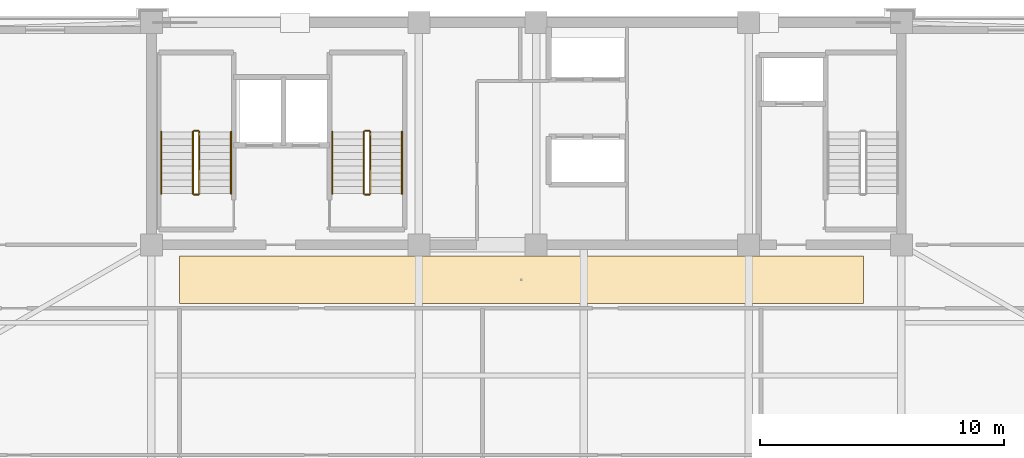
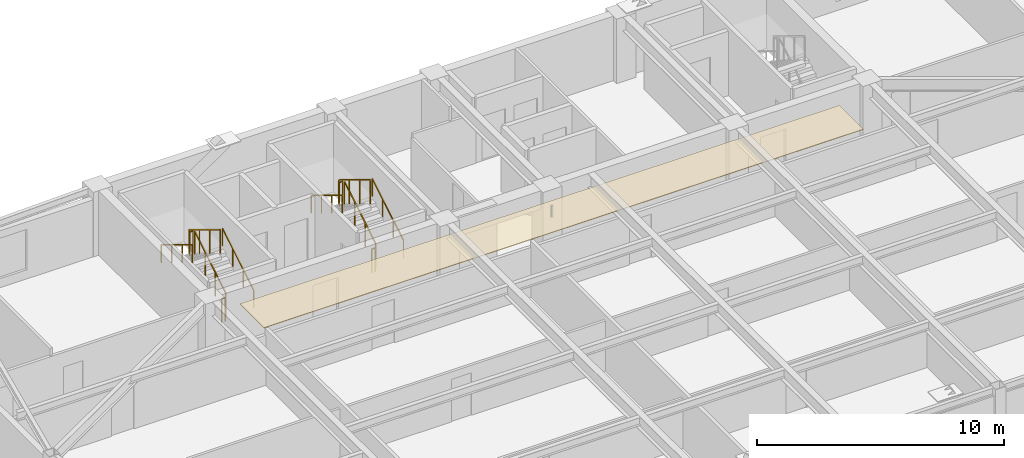
# One storey, part 15 of 18: 12 railings, 1 covering.
"""IFC4 building model written with IfcOpenShell, lengths in metres."""

from ifc_helpers import new_model, si_unit, direction, frame, origin, origin_2d, place, context, subcontext, project, spatial, polyline, rectangle, outline, extrude, material, layer, layer_set, type_object, element, save


model = new_model("IFC4")

# Units and contexts
model_context = context("Model", 3, precision=1e-05, world=origin(), true_north=direction((0.0, 1.0)))
body_context = subcontext(model_context, "Body", "Model", "MODEL_VIEW")
ifc_project = project(units=[si_unit("LENGTHUNIT", "METRE"), si_unit("AREAUNIT", "SQUARE_METRE"), si_unit("VOLUMEUNIT", "CUBIC_METRE"), si_unit("PLANEANGLEUNIT", "RADIAN"), si_unit("MASSUNIT", "GRAM", prefix="KILO")], contexts=[model_context])

# Site, building, storey
site_placement = place(None, origin())
site = spatial("IfcSite", under=ifc_project, at=site_placement, CompositionType="ELEMENT")
building_placement = place(site_placement, origin())
building = spatial("IfcBuilding", under=site, at=building_placement, Name="Giltprow Tower", CompositionType="ELEMENT")
storey_placement = place(building_placement, frame((0.0, 0.0, 258.699951171875)))
storey = spatial("IfcBuildingStorey", under=building, at=storey_placement, Name="L66", CompositionType="ELEMENT", Elevation=258.699951171875)

# Covering
ifc_material_1 = material(Name="Painted gypsum board", Category="gypsum")
ifc_layer = layer(ifc_material_1, 0.030029296875, Name="Painted gypsum board")
ifc_layer_set = layer_set([ifc_layer], Name="Painted gypsum board")
covering_type = type_object("IfcCoveringType", Name="COV-CLG-GYPSUM", PredefinedType="CEILING", material=ifc_layer_set)
covering_placement = place(storey_placement, frame((0.0, 0.0, 2.6201171875)))
element("IfcCovering", 1, at=covering_placement, inside=storey, type_object=covering_type, Name="L66 Residence Gallery Ceiling", PredefinedType="CEILING", context=body_context, shape_type="SweptSolid", body=[
    extrude(outline(polyline([(21.0, 35.050048828125), (49.0, 35.050048828125), (49.0, 37.0), (21.0, 37.0), (21.0, 35.050048828125)])), origin(), (0.0, 0.0, 1.0), 0.030029296875),
])

# Railings
ifc_material_2 = material(Name="Anodized bronze", Category="metal")
railing_type_1 = type_object("IfcRailingType", Name="RAIL-STAIR-GUARD-1200", PredefinedType="GUARDRAIL", material=ifc_material_2)
railing_1_placement = place(storey_placement, frame((21.81005859375, 39.550048828125, 0.170166015625)))
element("IfcRailing", 2, at=railing_1_placement, inside=storey, type_object=railing_type_1, Name="L66 ST-1 stair guard 1", PredefinedType="GUARDRAIL", context=body_context, shape_type="SweptSolid", body=[
    extrude(rectangle(XDim=0.048095703125, YDim=0.048095703125, at=origin_2d()), frame((0.0, 0.0, 1.17578125), z_axis=(0.0, 0.854821627497, 0.518921945155), x_axis=(-1.0, 0.0, 0.0)), (0.0, 0.0, 1.0), 2.947998046875),
    extrude(rectangle(XDim=0.0419921875, YDim=0.0419921875, at=origin_2d()), origin(), (0.0, 0.0, 1.0), 1.15185546875),
    extrude(rectangle(XDim=0.0419921875, YDim=0.0419921875, at=origin_2d()), frame((0.0, 0.840087890625, 0.510009765625)), (0.0, 0.0, 1.0), 1.15185546875),
    extrude(rectangle(XDim=0.0419921875, YDim=0.0419921875, at=origin_2d()), frame((0.0, 1.679931640625, 1.019775390625)), (0.0, 0.0, 1.0), 1.15185546875),
    extrude(rectangle(XDim=0.0419921875, YDim=0.0419921875, at=origin_2d()), frame((0.0, 2.52001953125, 1.52978515625)), (0.0, 0.0, 1.0), 1.15185546875),
])
railing_2_placement = place(storey_placement, frame((21.760009765625, 42.1201171875, 1.699951171875)))
element("IfcRailing", 3, at=railing_2_placement, inside=storey, type_object=railing_type_1, Name="L66 ST-1 stair guard 2", PredefinedType="GUARDRAIL", context=body_context, shape_type="SweptSolid", body=[
    extrude(rectangle(XDim=0.048095703125, YDim=0.048095703125, at=origin_2d()), frame((0.0, 0.0, 1.17578125), z_axis=(-1.0, 0.0, 0.0), x_axis=(0.0, -1.0, 0.0)), (0.0, 0.0, 1.0), 0.159912109375),
    extrude(rectangle(XDim=0.0419921875, YDim=0.0419921875, at=origin_2d()), origin(), (0.0, 0.0, 1.0), 1.15185546875),
    extrude(rectangle(XDim=0.0419921875, YDim=0.0419921875, at=origin_2d()), frame((-0.159912109375, 0.0, 0.0)), (0.0, 0.0, 1.0), 1.15185546875),
])
railing_3_placement = place(storey_placement, frame((21.550048828125, 42.070068359375, 1.8701171875)))
element("IfcRailing", 4, at=railing_3_placement, inside=storey, type_object=railing_type_1, Name="L66 ST-1 stair guard 3", PredefinedType="GUARDRAIL", context=body_context, shape_type="SweptSolid", body=[
    extrude(rectangle(XDim=0.048095703125, YDim=0.048095703125, at=origin_2d()), frame((0.0, 0.0, 1.17578125), z_axis=(0.0, -0.85478489116, 0.518982456201), x_axis=(1.0, 0.0, 0.0)), (0.0, 0.0, 1.0), 2.9482421875),
    extrude(rectangle(XDim=0.0419921875, YDim=0.0419921875, at=origin_2d()), origin(), (0.0, 0.0, 1.0), 1.15185546875),
    extrude(rectangle(XDim=0.0419921875, YDim=0.0419921875, at=origin_2d()), frame((0.0, -0.840087890625, 0.510009765625)), (0.0, 0.0, 1.0), 1.15185546875),
    extrude(rectangle(XDim=0.0419921875, YDim=0.0419921875, at=origin_2d()), frame((0.0, -1.679931640625, 1.02001953125)), (0.0, 0.0, 1.0), 1.15185546875),
    extrude(rectangle(XDim=0.0419921875, YDim=0.0419921875, at=origin_2d()), frame((0.0, -2.52001953125, 1.530029296875)), (0.0, 0.0, 1.0), 1.15185546875),
])
railing_4_placement = place(storey_placement, frame((21.760009765625, 39.5, 0.0)))
element("IfcRailing", 5, at=railing_4_placement, inside=storey, type_object=railing_type_1, Name="L66 ST-1 stair guard 4", PredefinedType="GUARDRAIL", context=body_context, shape_type="SweptSolid", body=[
    extrude(rectangle(XDim=0.048095703125, YDim=0.048095703125, at=origin_2d()), frame((0.0, 0.0, 1.17578125), z_axis=(-1.0, 0.0, 0.0), x_axis=(0.0, -1.0, 0.0)), (0.0, 0.0, 1.0), 0.159912109375),
    extrude(rectangle(XDim=0.0419921875, YDim=0.0419921875, at=origin_2d()), origin(), (0.0, 0.0, 1.0), 1.15185546875),
    extrude(rectangle(XDim=0.0419921875, YDim=0.0419921875, at=origin_2d()), frame((-0.159912109375, 0.0, 0.0)), (0.0, 0.0, 1.0), 1.15185546875),
])
railing_5_placement = place(storey_placement, frame((28.81005859375, 39.550048828125, 0.170166015625)))
element("IfcRailing", 6, at=railing_5_placement, inside=storey, type_object=railing_type_1, Name="L66 ST-2 stair guard 1", PredefinedType="GUARDRAIL", context=body_context, shape_type="SweptSolid", body=[
    extrude(rectangle(XDim=0.048095703125, YDim=0.048095703125, at=origin_2d()), frame((0.0, 0.0, 1.17578125), z_axis=(0.0, 0.854821627497, 0.518921945155), x_axis=(-1.0, 0.0, 0.0)), (0.0, 0.0, 1.0), 2.947998046875),
    extrude(rectangle(XDim=0.0419921875, YDim=0.0419921875, at=origin_2d()), origin(), (0.0, 0.0, 1.0), 1.15185546875),
    extrude(rectangle(XDim=0.0419921875, YDim=0.0419921875, at=origin_2d()), frame((0.0, 0.840087890625, 0.510009765625)), (0.0, 0.0, 1.0), 1.15185546875),
    extrude(rectangle(XDim=0.0419921875, YDim=0.0419921875, at=origin_2d()), frame((0.0, 1.679931640625, 1.019775390625)), (0.0, 0.0, 1.0), 1.15185546875),
    extrude(rectangle(XDim=0.0419921875, YDim=0.0419921875, at=origin_2d()), frame((0.0, 2.52001953125, 1.52978515625)), (0.0, 0.0, 1.0), 1.15185546875),
])
railing_6_placement = place(storey_placement, frame((28.760009765625, 42.1201171875, 1.699951171875)))
element("IfcRailing", 7, at=railing_6_placement, inside=storey, type_object=railing_type_1, Name="L66 ST-2 stair guard 2", PredefinedType="GUARDRAIL", context=body_context, shape_type="SweptSolid", body=[
    extrude(rectangle(XDim=0.048095703125, YDim=0.048095703125, at=origin_2d()), frame((0.0, 0.0, 1.17578125), z_axis=(-1.0, 0.0, 0.0), x_axis=(0.0, -1.0, 0.0)), (0.0, 0.0, 1.0), 0.159912109375),
    extrude(rectangle(XDim=0.0419921875, YDim=0.0419921875, at=origin_2d()), origin(), (0.0, 0.0, 1.0), 1.15185546875),
    extrude(rectangle(XDim=0.0419921875, YDim=0.0419921875, at=origin_2d()), frame((-0.159912109375, 0.0, 0.0)), (0.0, 0.0, 1.0), 1.15185546875),
])
railing_7_placement = place(storey_placement, frame((28.550048828125, 42.070068359375, 1.8701171875)))
element("IfcRailing", 8, at=railing_7_placement, inside=storey, type_object=railing_type_1, Name="L66 ST-2 stair guard 3", PredefinedType="GUARDRAIL", context=body_context, shape_type="SweptSolid", body=[
    extrude(rectangle(XDim=0.048095703125, YDim=0.048095703125, at=origin_2d()), frame((0.0, 0.0, 1.17578125), z_axis=(0.0, -0.85478489116, 0.518982456201), x_axis=(1.0, 0.0, 0.0)), (0.0, 0.0, 1.0), 2.9482421875),
    extrude(rectangle(XDim=0.0419921875, YDim=0.0419921875, at=origin_2d()), origin(), (0.0, 0.0, 1.0), 1.15185546875),
    extrude(rectangle(XDim=0.0419921875, YDim=0.0419921875, at=origin_2d()), frame((0.0, -0.840087890625, 0.510009765625)), (0.0, 0.0, 1.0), 1.15185546875),
    extrude(rectangle(XDim=0.0419921875, YDim=0.0419921875, at=origin_2d()), frame((0.0, -1.679931640625, 1.02001953125)), (0.0, 0.0, 1.0), 1.15185546875),
    extrude(rectangle(XDim=0.0419921875, YDim=0.0419921875, at=origin_2d()), frame((0.0, -2.52001953125, 1.530029296875)), (0.0, 0.0, 1.0), 1.15185546875),
])
railing_8_placement = place(storey_placement, frame((28.760009765625, 39.5, 0.0)))
element("IfcRailing", 9, at=railing_8_placement, inside=storey, type_object=railing_type_1, Name="L66 ST-2 stair guard 4", PredefinedType="GUARDRAIL", context=body_context, shape_type="SweptSolid", body=[
    extrude(rectangle(XDim=0.048095703125, YDim=0.048095703125, at=origin_2d()), frame((0.0, 0.0, 1.17578125), z_axis=(-1.0, 0.0, 0.0), x_axis=(0.0, -1.0, 0.0)), (0.0, 0.0, 1.0), 0.159912109375),
    extrude(rectangle(XDim=0.0419921875, YDim=0.0419921875, at=origin_2d()), origin(), (0.0, 0.0, 1.0), 1.15185546875),
    extrude(rectangle(XDim=0.0419921875, YDim=0.0419921875, at=origin_2d()), frame((-0.159912109375, 0.0, 0.0)), (0.0, 0.0, 1.0), 1.15185546875),
])
railing_type_2 = type_object("IfcRailingType", Name="RAIL-STAIR-HAND-900", PredefinedType="HANDRAIL", material=ifc_material_2)
railing_9_placement = place(storey_placement, frame((23.110107421875, 39.550048828125, 0.170166015625)))
element("IfcRailing", 10, at=railing_9_placement, inside=storey, type_object=railing_type_2, Name="L66 ST-1 stair handrail 1", PredefinedType="HANDRAIL", context=body_context, shape_type="SweptSolid", body=[
    extrude(rectangle(XDim=0.048095703125, YDim=0.048095703125, at=origin_2d()), frame((0.0, 0.0, 0.8759765625), z_axis=(0.0, 0.854821627497, 0.518921945155), x_axis=(-1.0, 0.0, 0.0)), (0.0, 0.0, 1.0), 2.947998046875),
    extrude(rectangle(XDim=0.0419921875, YDim=0.0419921875, at=origin_2d()), origin(), (0.0, 0.0, 1.0), 0.851806640625),
    extrude(rectangle(XDim=0.0419921875, YDim=0.0419921875, at=origin_2d()), frame((0.0, 0.840087890625, 0.510009765625)), (0.0, 0.0, 1.0), 0.851806640625),
    extrude(rectangle(XDim=0.0419921875, YDim=0.0419921875, at=origin_2d()), frame((0.0, 1.679931640625, 1.019775390625)), (0.0, 0.0, 1.0), 0.851806640625),
    extrude(rectangle(XDim=0.0419921875, YDim=0.0419921875, at=origin_2d()), frame((0.0, 2.52001953125, 1.52978515625)), (0.0, 0.0, 1.0), 0.851806640625),
])
railing_10_placement = place(storey_placement, frame((20.25, 42.070068359375, 1.8701171875)))
element("IfcRailing", 11, at=railing_10_placement, inside=storey, type_object=railing_type_2, Name="L66 ST-1 stair handrail 2", PredefinedType="HANDRAIL", context=body_context, shape_type="SweptSolid", body=[
    extrude(rectangle(XDim=0.048095703125, YDim=0.048095703125, at=origin_2d()), frame((0.0, 0.0, 0.8759765625), z_axis=(0.0, -0.85478489116, 0.518982456201), x_axis=(1.0, 0.0, 0.0)), (0.0, 0.0, 1.0), 2.9482421875),
    extrude(rectangle(XDim=0.0419921875, YDim=0.0419921875, at=origin_2d()), origin(), (0.0, 0.0, 1.0), 0.851806640625),
    extrude(rectangle(XDim=0.0419921875, YDim=0.0419921875, at=origin_2d()), frame((0.0, -0.840087890625, 0.510009765625)), (0.0, 0.0, 1.0), 0.851806640625),
    extrude(rectangle(XDim=0.0419921875, YDim=0.0419921875, at=origin_2d()), frame((0.0, -1.679931640625, 1.02001953125)), (0.0, 0.0, 1.0), 0.851806640625),
    extrude(rectangle(XDim=0.0419921875, YDim=0.0419921875, at=origin_2d()), frame((0.0, -2.52001953125, 1.530029296875)), (0.0, 0.0, 1.0), 0.851806640625),
])
railing_11_placement = place(storey_placement, frame((30.110107421875, 39.550048828125, 0.170166015625)))
element("IfcRailing", 12, at=railing_11_placement, inside=storey, type_object=railing_type_2, Name="L66 ST-2 stair handrail 1", PredefinedType="HANDRAIL", context=body_context, shape_type="SweptSolid", body=[
    extrude(rectangle(XDim=0.048095703125, YDim=0.048095703125, at=origin_2d()), frame((0.0, 0.0, 0.8759765625), z_axis=(0.0, 0.854821627497, 0.518921945155), x_axis=(-1.0, 0.0, 0.0)), (0.0, 0.0, 1.0), 2.947998046875),
    extrude(rectangle(XDim=0.0419921875, YDim=0.0419921875, at=origin_2d()), origin(), (0.0, 0.0, 1.0), 0.851806640625),
    extrude(rectangle(XDim=0.0419921875, YDim=0.0419921875, at=origin_2d()), frame((0.0, 0.840087890625, 0.510009765625)), (0.0, 0.0, 1.0), 0.851806640625),
    extrude(rectangle(XDim=0.0419921875, YDim=0.0419921875, at=origin_2d()), frame((0.0, 1.679931640625, 1.019775390625)), (0.0, 0.0, 1.0), 0.851806640625),
    extrude(rectangle(XDim=0.0419921875, YDim=0.0419921875, at=origin_2d()), frame((0.0, 2.52001953125, 1.52978515625)), (0.0, 0.0, 1.0), 0.851806640625),
])
railing_12_placement = place(storey_placement, frame((27.25, 42.070068359375, 1.8701171875)))
element("IfcRailing", 13, at=railing_12_placement, inside=storey, type_object=railing_type_2, Name="L66 ST-2 stair handrail 2", PredefinedType="HANDRAIL", context=body_context, shape_type="SweptSolid", body=[
    extrude(rectangle(XDim=0.048095703125, YDim=0.048095703125, at=origin_2d()), frame((0.0, 0.0, 0.8759765625), z_axis=(0.0, -0.85478489116, 0.518982456201), x_axis=(1.0, 0.0, 0.0)), (0.0, 0.0, 1.0), 2.9482421875),
    extrude(rectangle(XDim=0.0419921875, YDim=0.0419921875, at=origin_2d()), origin(), (0.0, 0.0, 1.0), 0.851806640625),
    extrude(rectangle(XDim=0.0419921875, YDim=0.0419921875, at=origin_2d()), frame((0.0, -0.840087890625, 0.510009765625)), (0.0, 0.0, 1.0), 0.851806640625),
    extrude(rectangle(XDim=0.0419921875, YDim=0.0419921875, at=origin_2d()), frame((0.0, -1.679931640625, 1.02001953125)), (0.0, 0.0, 1.0), 0.851806640625),
    extrude(rectangle(XDim=0.0419921875, YDim=0.0419921875, at=origin_2d()), frame((0.0, -2.52001953125, 1.530029296875)), (0.0, 0.0, 1.0), 0.851806640625),
])

save(model, "model.ifc")
